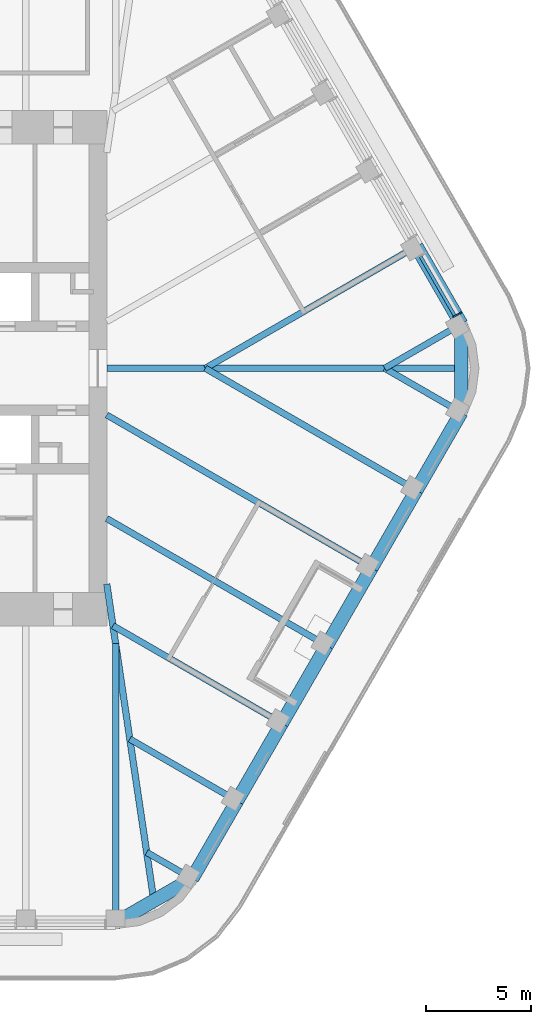
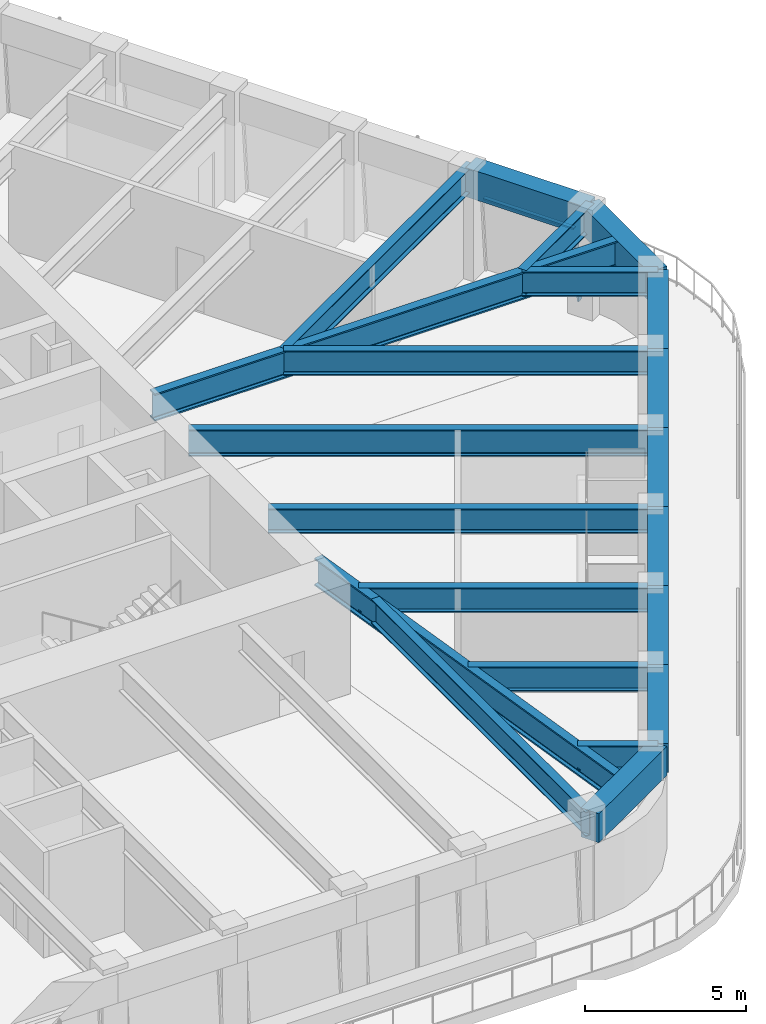
# One storey, part 5 of 19: 21 beams, 2 members, 1 element without a shape of its own.
"""IFC4 building model written with IfcOpenShell, lengths in metres."""

import ifcopenshell
import ifcopenshell.guid

model = None  # the IFC model being written
_history = None  # IfcOwnerHistory: only IFC2X3 demands one
_inside = {}  # id of a spatial element -> (the spatial element, [elements in it])
_under = {}  # id of a project, library or spatial element -> (it, [spatial elements below it])
_declared = {}  # id of a project -> (the project, [libraries it declares])
_typed = {}  # id of a type object -> (the type object, [elements of that type])
_made_of = {}  # id of a material, layer set ... -> (it, [elements and type objects made of it])


def new_model(schema):
    """Start an empty IFC model of exactly this schema.

    Asked for "IFC4X3", IfcOpenShell would pick the latest addendum, in which some entities
    have other attributes; the version numbers below select the first issue.
    IFC2X3 requires an IfcOwnerHistory on every rooted entity: one is made here for all.
    """
    global model, _history
    if schema == "IFC4X3":
        model = ifcopenshell.file(schema_version=(4, 3, 0, 0))
    else:
        model = ifcopenshell.file(schema=schema)
    _inside.clear()
    _under.clear()
    _declared.clear()
    _typed.clear()
    _made_of.clear()
    _history = None
    if model.schema == "IFC2X3":
        org = make("IfcOrganization", Name="unknown")
        user = make(
            "IfcPersonAndOrganization",
            ThePerson=make("IfcPerson", FamilyName="unknown"),
            TheOrganization=org,
        )
        app = make(
            "IfcApplication",
            ApplicationDeveloper=org,
            Version="unknown",
            ApplicationFullName="unknown",
            ApplicationIdentifier="unknown",
        )
        _history = make(
            "IfcOwnerHistory",
            OwningUser=user,
            OwningApplication=app,
            ChangeAction="ADDED",
            CreationDate=0,
        )
    return model


def make(cls, **values):
    """One entity of the class cls with the attributes given. An attribute that is None is left unset."""
    return model.create_entity(
        cls, **{name: value for name, value in values.items() if value is not None}
    )


def rooted(cls, **values):
    """An entity with a GlobalId (a new one), such as an element, a storey or a relation."""
    return make(cls, GlobalId=ifcopenshell.guid.new(), OwnerHistory=_history, **values)


def si_unit(unit_type, name, prefix=None):
    """IfcSIUnit, for example si_unit("LENGTHUNIT", "METRE", prefix="MILLI")."""
    return make("IfcSIUnit", UnitType=unit_type, Prefix=prefix, Name=name)


def assignment(units):
    """IfcUnitAssignment: the units of a project."""
    return None if units is None else make("IfcUnitAssignment", Units=units)


def point(xyz):
    """IfcCartesianPoint."""
    return None if xyz is None else make("IfcCartesianPoint", Coordinates=xyz)


def direction(xyz):
    """IfcDirection."""
    return None if xyz is None else make("IfcDirection", DirectionRatios=xyz)


def frame(location, z_axis=None, x_axis=None):
    """IfcAxis2Placement3D, a coordinate frame: its origin and axes. An axis left out is left unset."""
    return make(
        "IfcAxis2Placement3D",
        Location=point(location),
        Axis=direction(z_axis),
        RefDirection=direction(x_axis),
    )


def frame_2d(location, x_axis=None):
    """IfcAxis2Placement2D, a coordinate frame in the plane: its origin and x axis."""
    return make(
        "IfcAxis2Placement2D", Location=point(location), RefDirection=direction(x_axis)
    )


def origin():
    """The frame at (0, 0, 0) with its axes left unset."""
    return frame((0.0, 0.0, 0.0))


def origin_2d():
    """The frame at (0, 0) in the plane with its x axis left unset."""
    return frame_2d((0.0, 0.0))


def place(relative_to, where):
    """IfcLocalPlacement: puts the frame where relative to a parent placement (None: the world)."""
    return make(
        "IfcLocalPlacement", PlacementRelTo=relative_to, RelativePlacement=where
    )


def context(
    kind, dimensions, precision=None, world=None, true_north=None, identifier=None
):
    """IfcGeometricRepresentationContext, for example the 3D "Model" context."""
    return make(
        "IfcGeometricRepresentationContext",
        ContextIdentifier=identifier,
        ContextType=kind,
        CoordinateSpaceDimension=dimensions,
        Precision=precision,
        WorldCoordinateSystem=world,
        TrueNorth=true_north,
    )


def subcontext(parent, identifier, kind, view, scale=None):
    """IfcGeometricRepresentationSubContext, for example "Body" below "Model"."""
    return make(
        "IfcGeometricRepresentationSubContext",
        ContextIdentifier=identifier,
        ContextType=kind,
        ParentContext=parent,
        TargetScale=scale,
        TargetView=view,
    )


def project(units=None, contexts=None):
    """IfcProject with its units and contexts."""
    return rooted(
        "IfcProject",
        Name="project",
        RepresentationContexts=contexts,
        UnitsInContext=assignment(units),
    )


def spatial(cls, under=None, at=None, **own):
    """A site, building, storey or space (cls), placed at a placement, below another one or the project."""
    s = rooted(cls, ObjectPlacement=at, **own)
    if under is not None:
        _under.setdefault(under.id(), (under, []))[1].append(s)
    return s


def profile(cls, at=None, kind="AREA", **sizes):
    """A parametric profile (cls). Its sizes go by their IFC names, for example OverallWidth=200.0."""
    return make(cls, ProfileType=kind, Position=at, **sizes)


def rectangle(**sizes):
    """IfcRectangleProfileDef."""
    return profile("IfcRectangleProfileDef", **sizes)


def i_section(**sizes):
    """IfcIShapeProfileDef."""
    return profile("IfcIShapeProfileDef", **sizes)


def extrude(swept, where, along, depth):
    """IfcExtrudedAreaSolid: the profile swept, set in the frame where, extruded along a direction by depth."""
    return make(
        "IfcExtrudedAreaSolid",
        SweptArea=swept,
        Position=where,
        ExtrudedDirection=direction(along),
        Depth=depth,
    )


def shape(context_of_items, identifier, shape_type, items):
    """IfcShapeRepresentation: the items that make up one representation, for example the "Body"."""
    return make(
        "IfcShapeRepresentation",
        ContextOfItems=context_of_items,
        RepresentationIdentifier=identifier,
        RepresentationType=shape_type,
        Items=items,
    )


def material(Name=None, Category=None):
    """IfcMaterial."""
    return make("IfcMaterial", Name=Name, Category=Category)


def material_profile(
    of_material, cross_section, Name=None, Category=None, Priority=None
):
    """IfcMaterialProfile: a cross section and its material."""
    return make(
        "IfcMaterialProfile",
        Name=Name,
        Material=of_material,
        Profile=cross_section,
        Priority=Priority,
        Category=Category,
    )


def profile_set(profiles, Name=None, composite=None):
    """IfcMaterialProfileSet."""
    return make(
        "IfcMaterialProfileSet",
        Name=Name,
        MaterialProfiles=profiles,
        CompositeProfile=composite,
    )


def made_of(thing, what):
    """Note that an element or type object is made of a material, layer set ...; save() writes the relation."""
    if what is not None:
        _made_of.setdefault(what.id(), (what, []))[1].append(thing)
    return thing


def type_object(cls, material=None, **own):
    """A type object (cls), such as IfcWallType, which elements share."""
    return made_of(rooted(cls, **own), material)


def element(
    cls,
    number,
    at=None,
    inside=None,
    cuts=None,
    type_object=None,
    material=None,
    context=None,
    identifier="Body",
    shape_type=None,
    held_by="IfcProductDefinitionShape",
    body=None,
    shapes=None,
    **own,
):
    """One element of the class cls, such as IfcWall. Its Tag is "e" and its number.

    at: its placement. inside: the storey or other place that contains it. cuts: it is an
    opening in that element (IfcRelVoidsElement). A single representation is given by context,
    identifier, shape_type and body (its items); several are given by shapes. held_by: the class
    of the entity that holds the representations. save() writes the other relations.
    """
    e = rooted(cls, Tag="e%d" % number, ObjectPlacement=at, **own)
    if body is not None:
        shapes = [shape(context, identifier, shape_type, body)]
    if shapes is not None:
        e.Representation = make(held_by, Representations=shapes)
    if inside is not None:
        _inside.setdefault(inside.id(), (inside, []))[1].append(e)
    if cuts is not None:
        rooted(
            "IfcRelVoidsElement", RelatingBuildingElement=cuts, RelatedOpeningElement=e
        )
    if type_object is not None:
        _typed.setdefault(type_object.id(), (type_object, []))[1].append(e)
    return made_of(e, material)


def aggregate(whole, parts):
    """IfcRelAggregates: a whole, such as a stair, and the parts it consists of."""
    return rooted("IfcRelAggregates", RelatingObject=whole, RelatedObjects=parts)


def save(model, path):
    """Write the relations noted so far, then the file.

    IfcRelAggregates (storeys below a building ...), IfcRelContainedInSpatialStructure (elements
    in a storey), IfcRelDefinesByType, IfcRelAssociatesMaterial and IfcRelDeclares: one each for
    every whole, place, type object, material and project.
    """
    for whole, parts in _under.values():
        aggregate(whole, parts)
    for where, things in _inside.values():
        rooted(
            "IfcRelContainedInSpatialStructure",
            RelatedElements=things,
            RelatingStructure=where,
        )
    for kind, things in _typed.values():
        rooted("IfcRelDefinesByType", RelatedObjects=things, RelatingType=kind)
    for what, things in _made_of.values():
        rooted("IfcRelAssociatesMaterial", RelatedObjects=things, RelatingMaterial=what)
    for by, libraries in _declared.values():
        rooted("IfcRelDeclares", RelatingContext=by, RelatedDefinitions=libraries)
    model.write(path)


model = new_model("IFC4")

# Units and contexts
model_context = context("Model", 3, precision=1e-05, world=origin(), true_north=direction((0.0, 1.0)))
body_context = subcontext(model_context, "Body", "Model", "MODEL_VIEW")
ifc_project = project(units=[si_unit("LENGTHUNIT", "METRE"), si_unit("AREAUNIT", "SQUARE_METRE"), si_unit("VOLUMEUNIT", "CUBIC_METRE"), si_unit("PLANEANGLEUNIT", "RADIAN"), si_unit("MASSUNIT", "GRAM", prefix="KILO")], contexts=[model_context])

# Site, building, storey
site_placement = place(None, origin())
site = spatial("IfcSite", under=ifc_project, at=site_placement, CompositionType="ELEMENT")
building_placement = place(site_placement, origin())
building = spatial("IfcBuilding", under=site, at=building_placement, Name="Tarfa Lantern Tower", CompositionType="ELEMENT")
storey_placement = place(building_placement, frame((0.0, 0.0, 370.300048828125)))
storey = spatial("IfcBuildingStorey", under=building, at=storey_placement, Name="L84", CompositionType="ELEMENT", Elevation=370.300048828125)

# Curtain wall, members
ifc_material_1 = material(Name="Aluminium framed curtain wall", Category="aluminium")
curtain_wall_type = type_object("IfcCurtainWallType", Name="CW4 CANTED GLAZING EXECUTIVE ZONE 2900", PredefinedType="USERDEFINED", material=ifc_material_1)
curtain_wall_placement = place(storey_placement, origin())
curtain_wall = element("IfcCurtainWall", 1, at=curtain_wall_placement, inside=storey, type_object=curtain_wall_type, Name="CW4 NE L84", ObjectType="CURTAIN WALL", PredefinedType="USERDEFINED")
ifc_material_2 = material(Name="Aluminium mullion", Category="aluminium")
ifc_material_profile_1 = material_profile(ifc_material_2, rectangle(XDim=0.06494140625, YDim=0.199951171875, at=origin_2d()), Name="AL MULLION 65x200")
ifc_profile_set_1 = profile_set([ifc_material_profile_1], Name="Aluminium mullion")
member_type_1 = type_object("IfcMemberType", Name="CWM1 MULLION 65x200", PredefinedType="MULLION", material=ifc_profile_set_1)
member_1_placement = place(storey_placement, frame((29.26123046875, 2.617919921875, 0.0), z_axis=(-0.074316405553, -0.042945823525, 0.996309554359), x_axis=(0.500342721131, -0.865827443207, 0.0)))
member_1 = element("IfcMember", 2, at=member_1_placement, type_object=member_type_1, Name="CW4 mullion 1", PredefinedType="MULLION", context=body_context, shape_type="SweptSolid", body=[
    extrude(rectangle(XDim=0.06494140625, YDim=0.199951171875, at=origin_2d()), origin(), (0.0, 0.0, 1.0), 2.91064453125),
])
ifc_material_3 = material(Name="Aluminium transom", Category="aluminium")
ifc_material_profile_2 = material_profile(ifc_material_3, rectangle(XDim=0.14990234375, YDim=0.06494140625, at=origin_2d()), Name="AL TRANSOM 150x65")
ifc_profile_set_2 = profile_set([ifc_material_profile_2], Name="Aluminium transom")
member_type_2 = type_object("IfcMemberType", Name="CWT1 TRANSOM 150x65", PredefinedType="USERDEFINED", material=ifc_profile_set_2)
member_2_placement = place(storey_placement, frame((29.031005859375, 2.5224609375, 2.867431640625), z_axis=(-0.500014901547, 0.866016800201, 0.0), x_axis=(-0.866016800201, -0.500014901547, 0.0)))
member_2 = element("IfcMember", 3, at=member_2_placement, type_object=member_type_2, Name="CW4 transom 1.2", ObjectType="TRANSOM", PredefinedType="USERDEFINED", context=body_context, shape_type="SweptSolid", body=[
    extrude(rectangle(XDim=0.14990234375, YDim=0.06494140625, at=origin_2d()), origin(), (0.0, 0.0, 1.0), 3.251953125),
])
aggregate(curtain_wall, [member_1, member_2])

# Beams
ifc_material_4 = material(Name="Concrete C80/95", Category="concrete")
ifc_material_profile_3 = material_profile(ifc_material_4, rectangle(XDim=0.64990234375, YDim=1.10009765625, at=origin_2d()), Name="RC 650x1100")
ifc_profile_set_3 = profile_set([ifc_material_profile_3], Name="Concrete C80/95")
beam_type_1 = type_object("IfcBeamType", Name="EB4 RC 650x1100", PredefinedType="SPANDREL", material=ifc_profile_set_3)
beam_1_placement = place(storey_placement, frame((29.3466796875, 2.110107421875, 3.449951171875), z_axis=(-0.499984039138, 0.866034618596, 0.0), x_axis=(-0.866034618596, -0.499984039138, 0.0)))
element("IfcBeam", 4, at=beam_1_placement, inside=storey, type_object=beam_type_1, Name="Edge beam NE0", PredefinedType="SPANDREL", context=body_context, shape_type="SweptSolid", body=[
    extrude(rectangle(XDim=0.64990234375, YDim=1.10009765625, at=origin_2d()), origin(), (0.0, 0.0, 1.0), 4.281982421875),
])
beam_2_placement = place(storey_placement, frame((12.845947265625, -26.469970703125, 3.449951171875), z_axis=(0.866048788483, 0.499959494327, 0.0), x_axis=(-0.499959494327, 0.866048788483, 0.0)))
element("IfcBeam", 5, at=beam_2_placement, inside=storey, type_object=beam_type_1, Name="Edge beam S6", PredefinedType="SPANDREL", context=body_context, shape_type="SweptSolid", body=[
    extrude(rectangle(XDim=0.64990234375, YDim=1.10009765625, at=origin_2d()), origin(), (0.0, 0.0, 1.0), 4.219970703125),
])
for number, where, z_axis, x_axis, name in (
    (6, (16.500732421875, -24.360107421875, 3.449951171875), (0.499959351497, 0.866048870937, 0.0), (-0.866048870937, 0.499959351497, 0.0), "Edge beam SE0"),
    (7, (18.6416015625, -20.651611328125, 3.449951171875), (0.500026801138, 0.866009929587, 0.0), (-0.866009929587, 0.500026801138, 0.0), "Edge beam SE1"),
    (8, (20.78271484375, -16.943359375, 3.449951171875), (0.499984039138, 0.866034618596, 0.0), (-0.866034618596, 0.499984039138, 0.0), "Edge beam SE2"),
):
    element("IfcBeam", number, at=place(storey_placement, frame(where, z_axis=z_axis, x_axis=x_axis)), inside=storey, type_object=beam_type_1, Name=name, PredefinedType="SPANDREL", context=body_context, shape_type="SweptSolid", body=[
        extrude(rectangle(XDim=0.64990234375, YDim=1.10009765625, at=origin_2d()), origin(), (0.0, 0.0, 1.0), 4.281982421875),
    ])
beam_3_placement = place(storey_placement, frame((22.923583984375, -13.235107421875, 3.449951171875), z_axis=(0.500002112793, 0.866024183959, 0.0), x_axis=(-0.866024183959, 0.500002112793, 0.0)))
element("IfcBeam", 9, at=beam_3_placement, inside=storey, type_object=beam_type_1, Name="Edge beam SE3", PredefinedType="SPANDREL", context=body_context, shape_type="SweptSolid", body=[
    extrude(rectangle(XDim=0.64990234375, YDim=1.10009765625, at=origin_2d()), origin(), (0.0, 0.0, 1.0), 4.2822265625),
])
for number, where, z_axis, x_axis, name in (
    (10, (25.064697265625, -9.526611328125, 3.449951171875), (0.500026801138, 0.866009929587, 0.0), (-0.866009929587, 0.500026801138, 0.0), "Edge beam SE4"),
    (11, (27.205810546875, -5.818359375, 3.449951171875), (0.499984039138, 0.866034618596, 0.0), (-0.866034618596, 0.499984039138, 0.0), "Edge beam SE5"),
):
    element("IfcBeam", number, at=place(storey_placement, frame(where, z_axis=z_axis, x_axis=x_axis)), inside=storey, type_object=beam_type_1, Name=name, PredefinedType="SPANDREL", context=body_context, shape_type="SweptSolid", body=[
        extrude(rectangle(XDim=0.64990234375, YDim=1.10009765625, at=origin_2d()), origin(), (0.0, 0.0, 1.0), 4.281982421875),
    ])
beam_4_placement = place(storey_placement, frame((29.3466796875, -2.110107421875, 3.449951171875), z_axis=(0.0, 1.0, 0.0), x_axis=(-1.0, 0.0, 0.0)))
element("IfcBeam", 12, at=beam_4_placement, inside=storey, type_object=beam_type_1, Name="Edge beam SE6", PredefinedType="SPANDREL", context=body_context, shape_type="SweptSolid", body=[
    extrude(rectangle(XDim=0.64990234375, YDim=1.10009765625, at=origin_2d()), origin(), (0.0, 0.0, 1.0), 4.22021484375),
])
ifc_material_5 = material(Name="Steel S460M", Category="steel")
ifc_material_profile_4 = material_profile(ifc_material_5, i_section(OverallWidth=0.302001953125, OverallDepth=1.008056640625, WebThickness=0.02099609375, FlangeThickness=0.0400390625, FilletRadius=0.030029296875, at=origin_2d()), Name="UB1016x305x349")
ifc_profile_set_4 = profile_set([ifc_material_profile_4], Name="Steel S460M")
beam_type_2 = type_object("IfcBeamType", Name="UB1016x305x349", PredefinedType="BEAM", material=ifc_profile_set_4)
beam_5_placement = place(storey_placement, frame((25.064697265625, -9.526611328125, 3.495849609375), z_axis=(-0.866029591389, 0.499992746786, 0.0), x_axis=(-0.499992746786, -0.866029591389, 0.0)))
element("IfcBeam", 13, at=beam_5_placement, inside=storey, type_object=beam_type_2, Name="Floor beam SE4", PredefinedType="BEAM", context=body_context, shape_type="SweptSolid", body=[
    extrude(i_section(OverallWidth=0.302001953125, OverallDepth=1.008056640625, WebThickness=0.02099609375, FlangeThickness=0.0400390625, FilletRadius=0.030029296875, at=origin_2d()), origin(), (0.0, 0.0, 1.0), 14.594970703125),
])
ifc_material_profile_5 = material_profile(ifc_material_5, i_section(OverallWidth=0.30859375, OverallDepth=1.036376953125, WebThickness=0.030029296875, FlangeThickness=0.05419921875, FilletRadius=0.030029296875, at=origin_2d()), Name="UB1016x305x487")
ifc_profile_set_5 = profile_set([ifc_material_profile_5], Name="Steel S460M")
beam_type_3 = type_object("IfcBeamType", Name="UB1016x305x487", PredefinedType="BEAM", material=ifc_profile_set_5)
beam_6_placement = place(storey_placement, frame((12.425048828125, 0.0, 3.481689453125), z_axis=(1.0, 0.0, 0.0), x_axis=(0.0, 1.0, 0.0)))
element("IfcBeam", 14, at=beam_6_placement, inside=storey, type_object=beam_type_3, Name="Hip girder E", PredefinedType="BEAM", context=body_context, shape_type="SweptSolid", body=[
    extrude(i_section(OverallWidth=0.30859375, OverallDepth=1.036376953125, WebThickness=0.030029296875, FlangeThickness=0.05419921875, FilletRadius=0.030029296875, at=origin_2d()), origin(), (0.0, 0.0, 1.0), 16.921630859375),
])
beam_7_placement = place(storey_placement, frame((12.425048828125, -10.300048828125, 3.481689453125), z_axis=(0.147127069073, -0.989117599452, 0.0), x_axis=(0.989117599452, 0.147127069073, 0.0)))
element("IfcBeam", 15, at=beam_7_placement, inside=storey, type_object=beam_type_3, Name="Hip girder SE", PredefinedType="BEAM", context=body_context, shape_type="SweptSolid", body=[
    extrude(i_section(OverallWidth=0.30859375, OverallDepth=1.036376953125, WebThickness=0.030029296875, FlangeThickness=0.05419921875, FilletRadius=0.030029296875, at=origin_2d()), origin(), (0.0, 0.0, 1.0), 15.28125),
])
ifc_material_profile_6 = material_profile(ifc_material_5, i_section(OverallWidth=0.305419921875, OverallDepth=0.91845703125, WebThickness=0.017333984375, FlangeThickness=0.02783203125, FilletRadius=0.01904296875, at=origin_2d()), Name="UB914x305x253")
ifc_profile_set_6 = profile_set([ifc_material_profile_6], Name="Steel S460M")
beam_type_4 = type_object("IfcBeamType", Name="UB914x305x253", PredefinedType="BEAM", material=ifc_profile_set_6)
beam_8_placement = place(storey_placement, frame((29.3466796875, 2.110107421875, 3.540771484375), z_axis=(-0.866009274789, -0.500027935199, 0.0), x_axis=(0.500027935199, -0.866009274789, 0.0)))
element("IfcBeam", 16, at=beam_8_placement, inside=storey, type_object=beam_type_4, Name="Floor beam NE0", PredefinedType="BEAM", context=body_context, shape_type="SweptSolid", body=[
    extrude(i_section(OverallWidth=0.305419921875, OverallDepth=0.91845703125, WebThickness=0.017333984375, FlangeThickness=0.02783203125, FilletRadius=0.01904296875, at=origin_2d()), origin(), (0.0, 0.0, 1.0), 4.219970703125),
])
beam_9_placement = place(storey_placement, frame((27.205810546875, 5.818359375, 3.540771484375), z_axis=(-0.866024171998, -0.500002133511, 0.0), x_axis=(0.500002133511, -0.866024171998, 0.0)))
element("IfcBeam", 17, at=beam_9_placement, inside=storey, type_object=beam_type_4, Name="Floor beam NE1", PredefinedType="BEAM", context=body_context, shape_type="SweptSolid", body=[
    extrude(i_section(OverallWidth=0.305419921875, OverallDepth=0.91845703125, WebThickness=0.017333984375, FlangeThickness=0.02783203125, FilletRadius=0.01904296875, at=origin_2d()), origin(), (0.0, 0.0, 1.0), 11.63671875),
])
beam_10_placement = place(storey_placement, frame((12.845947265625, -26.469970703125, 3.540771484375), z_axis=(0.0, 1.0, 0.0), x_axis=(-1.0, 0.0, 0.0)))
element("IfcBeam", 18, at=beam_10_placement, inside=storey, type_object=beam_type_4, Name="Floor beam S6", PredefinedType="BEAM", context=body_context, shape_type="SweptSolid", body=[
    extrude(i_section(OverallWidth=0.305419921875, OverallDepth=0.91845703125, WebThickness=0.017333984375, FlangeThickness=0.02783203125, FilletRadius=0.01904296875, at=origin_2d()), origin(), (0.0, 0.0, 1.0), 13.33935546875),
])
beam_11_placement = place(storey_placement, frame((16.500732421875, -24.360107421875, 3.540771484375), z_axis=(-0.865992557167, 0.500056887695, 0.0), x_axis=(-0.500056887695, -0.865992557167, 0.0)))
element("IfcBeam", 19, at=beam_11_placement, inside=storey, type_object=beam_type_4, Name="Floor beam SE0", PredefinedType="BEAM", context=body_context, shape_type="SweptSolid", body=[
    extrude(i_section(OverallWidth=0.305419921875, OverallDepth=0.91845703125, WebThickness=0.017333984375, FlangeThickness=0.02783203125, FilletRadius=0.01904296875, at=origin_2d()), origin(), (0.0, 0.0, 1.0), 2.506591796875),
])
beam_12_placement = place(storey_placement, frame((18.6416015625, -20.651611328125, 3.540771484375), z_axis=(-0.866024549157, 0.500001480256, 0.0), x_axis=(-0.500001480256, -0.866024549157, 0.0)))
element("IfcBeam", 20, at=beam_12_placement, inside=storey, type_object=beam_type_4, Name="Floor beam SE1", PredefinedType="BEAM", context=body_context, shape_type="SweptSolid", body=[
    extrude(i_section(OverallWidth=0.305419921875, OverallDepth=0.91845703125, WebThickness=0.017333984375, FlangeThickness=0.02783203125, FilletRadius=0.01904296875, at=origin_2d()), origin(), (0.0, 0.0, 1.0), 5.90771484375),
])
beam_13_placement = place(storey_placement, frame((20.78271484375, -16.943359375, 3.540771484375), z_axis=(-0.866021806508, 0.500006230613, 0.0), x_axis=(-0.500006230613, -0.866021806508, 0.0)))
element("IfcBeam", 21, at=beam_13_placement, inside=storey, type_object=beam_type_4, Name="Floor beam SE2", PredefinedType="BEAM", context=body_context, shape_type="SweptSolid", body=[
    extrude(i_section(OverallWidth=0.305419921875, OverallDepth=0.91845703125, WebThickness=0.017333984375, FlangeThickness=0.02783203125, FilletRadius=0.01904296875, at=origin_2d()), origin(), (0.0, 0.0, 1.0), 9.30908203125),
])
beam_14_placement = place(storey_placement, frame((22.923583984375, -13.235107421875, 3.540771484375), z_axis=(-0.86601856927, 0.500011837539, 0.0), x_axis=(-0.500011837539, -0.86601856927, 0.0)))
element("IfcBeam", 22, at=beam_14_placement, inside=storey, type_object=beam_type_4, Name="Floor beam SE3", PredefinedType="BEAM", context=body_context, shape_type="SweptSolid", body=[
    extrude(i_section(OverallWidth=0.305419921875, OverallDepth=0.91845703125, WebThickness=0.017333984375, FlangeThickness=0.02783203125, FilletRadius=0.01904296875, at=origin_2d()), origin(), (0.0, 0.0, 1.0), 12.122802734375),
])
beam_15_placement = place(storey_placement, frame((27.205810546875, -5.818359375, 3.540771484375), z_axis=(-0.866024171998, 0.500002133511, 0.0), x_axis=(-0.500002133511, -0.866024171998, 0.0)))
element("IfcBeam", 23, at=beam_15_placement, inside=storey, type_object=beam_type_4, Name="Floor beam SE5", PredefinedType="BEAM", context=body_context, shape_type="SweptSolid", body=[
    extrude(i_section(OverallWidth=0.305419921875, OverallDepth=0.91845703125, WebThickness=0.017333984375, FlangeThickness=0.02783203125, FilletRadius=0.01904296875, at=origin_2d()), origin(), (0.0, 0.0, 1.0), 11.63671875),
])
beam_16_placement = place(storey_placement, frame((29.3466796875, -2.110107421875, 3.540771484375), z_axis=(-0.866009274789, 0.500027935199, 0.0), x_axis=(-0.500027935199, -0.866009274789, 0.0)))
element("IfcBeam", 24, at=beam_16_placement, inside=storey, type_object=beam_type_4, Name="Floor beam SE6", PredefinedType="BEAM", context=body_context, shape_type="SweptSolid", body=[
    extrude(i_section(OverallWidth=0.305419921875, OverallDepth=0.91845703125, WebThickness=0.017333984375, FlangeThickness=0.02783203125, FilletRadius=0.01904296875, at=origin_2d()), origin(), (0.0, 0.0, 1.0), 4.219970703125),
])

save(model, "model.ifc")
